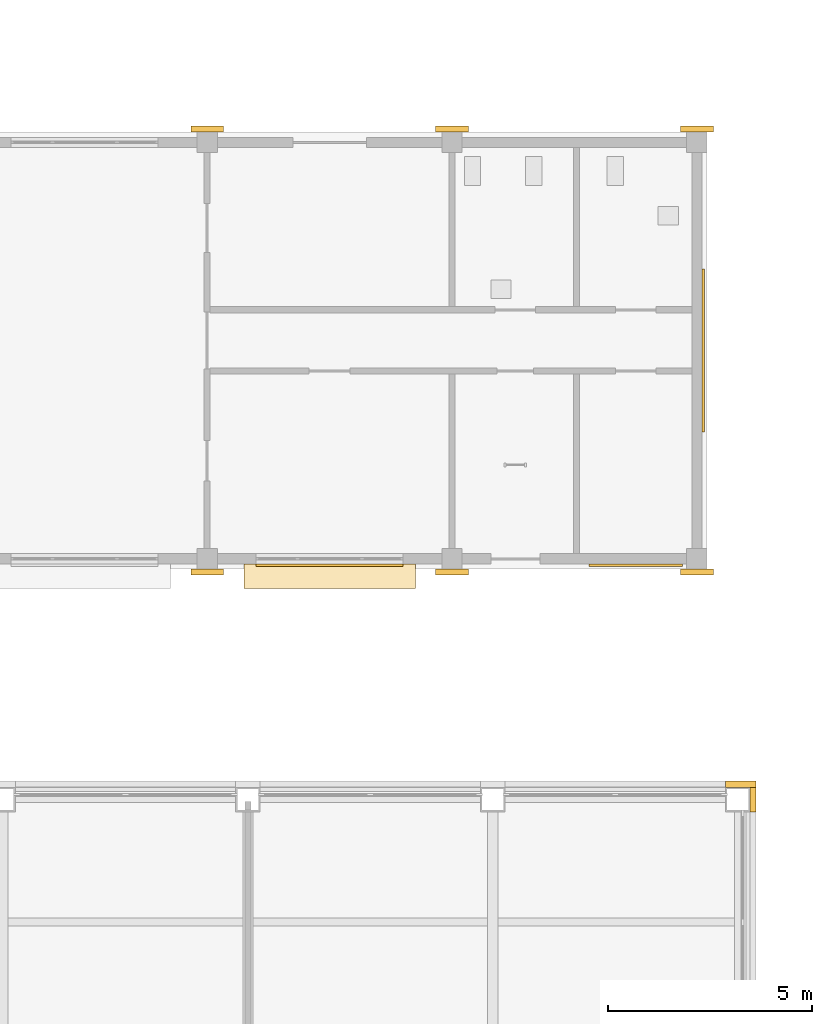
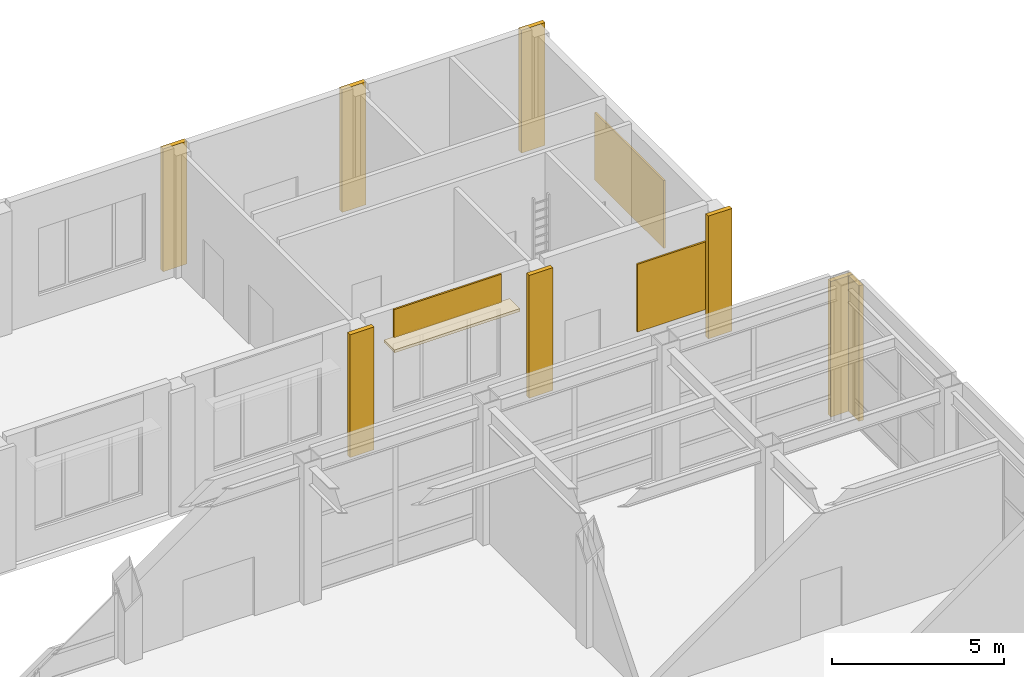
# One storey, part 74 of 77: 12 coverings.
"""IFC4 building model written with IfcOpenShell, lengths in metres."""

from ifc_helpers import new_model, si_unit, direction, frame, origin, place, context, subcontext, project, spatial, polyline, outline, extrude, material, layer, layer_set, type_object, element, save


model = new_model("IFC4")

# Units and contexts
model_context = context("Model", 3, precision=1e-05, world=origin(), true_north=direction((0.0, 1.0)))
body_context = subcontext(model_context, "Body", "Model", "MODEL_VIEW")
ifc_project = project(units=[si_unit("LENGTHUNIT", "METRE"), si_unit("AREAUNIT", "SQUARE_METRE"), si_unit("VOLUMEUNIT", "CUBIC_METRE"), si_unit("PLANEANGLEUNIT", "RADIAN"), si_unit("MASSUNIT", "GRAM", prefix="KILO")], contexts=[model_context])

# Site, building, storey
site_placement = place(None, origin())
site = spatial("IfcSite", under=ifc_project, at=site_placement, CompositionType="ELEMENT")
building_placement = place(site_placement, origin())
building = spatial("IfcBuilding", under=site, at=building_placement, Name="Aravalli Gate Trade Fair Centre", CompositionType="ELEMENT")
storey_placement = place(building_placement, origin())
storey = spatial("IfcBuildingStorey", under=building, at=storey_placement, Name="L00", CompositionType="ELEMENT", Elevation=0.0)

# Coverings
ifc_material_1 = material(Name="Dholpur sandstone", Category="masonry")
ifc_layer_1 = layer(ifc_material_1, 0.06005859375)
ifc_layer_set_1 = layer_set([ifc_layer_1], Name="Dholpur sandstone")
covering_type_1 = type_object("IfcCoveringType", Name="Pavilion jali panel 60", PredefinedType="CLADDING", material=ifc_layer_set_1)
covering_1_placement = place(storey_placement, frame((0.0, 0.0, 3.550048828125)))
element("IfcCovering", 1, at=covering_1_placement, inside=storey, type_object=covering_type_1, Name="Jali panel S5", PredefinedType="CLADDING", context=body_context, shape_type="SweptSolid", body=[
    extrude(outline(polyline([(190.199951171875, 138.715087890625), (193.800048828125, 138.715087890625), (193.800048828125, 138.77490234375), (190.199951171875, 138.77490234375), (190.199951171875, 138.715087890625)])), origin(), (0.0, 0.0, 1.0), 1.0),
])
covering_2_placement = place(storey_placement, frame((0.0, 0.0, 0.89990234375)))
element("IfcCovering", 2, at=covering_2_placement, inside=storey, type_object=covering_type_1, Name="Jali panel plant bay", PredefinedType="CLADDING", context=body_context, shape_type="SweptSolid", body=[
    extrude(outline(polyline([(198.35009765625, 138.715087890625), (200.64990234375, 138.715087890625), (200.64990234375, 138.77490234375), (198.35009765625, 138.77490234375), (198.35009765625, 138.715087890625)])), origin(), (0.0, 0.0, 1.0), 2.400146484375),
])
covering_3_placement = place(storey_placement, frame((0.0, 0.0, 0.89990234375)))
element("IfcCovering", 3, at=covering_3_placement, inside=storey, type_object=covering_type_1, Name="Jali panel E", PredefinedType="CLADDING", context=body_context, shape_type="SweptSolid", body=[
    extrude(outline(polyline([(201.125, 142.0), (201.18505859375, 142.0), (201.18505859375, 146.0), (201.125, 146.0), (201.125, 142.0)])), origin(), (0.0, 0.0, 1.0), 2.400146484375),
])
ifc_material_2 = material(Name="Terracotta", Category="masonry")
ifc_layer_2 = layer(ifc_material_2, 0.10009765625)
ifc_layer_set_2 = layer_set([ifc_layer_2], Name="Terracotta")
covering_type_2 = type_object("IfcCoveringType", Name="Wing chhajja hood 100", PredefinedType="MOLDING", material=ifc_layer_set_2)
covering_4_placement = place(storey_placement, frame((0.0, 0.0, 3.449951171875)))
element("IfcCovering", 4, at=covering_4_placement, inside=storey, type_object=covering_type_2, Name="Chhajja hood S5", PredefinedType="MOLDING", context=body_context, shape_type="SweptSolid", body=[
    extrude(outline(polyline([(189.89990234375, 138.175048828125), (194.10009765625, 138.175048828125), (194.10009765625, 138.77490234375), (189.89990234375, 138.77490234375), (189.89990234375, 138.175048828125)])), origin(), (0.0, 0.0, 1.0), 0.10009765625),
])
ifc_material_3 = material(Name="Glazed terracotta", Category="masonry")
ifc_layer_3 = layer(ifc_material_3, 0.14990234375)
ifc_layer_set_3 = layer_set([ifc_layer_3], Name="Glazed terracotta")
covering_type_3 = type_object("IfcCoveringType", Name="Wing pier casing 150", PredefinedType="CLADDING", material=ifc_layer_set_3)
covering_5_placement = place(storey_placement, origin())
element("IfcCovering", 5, at=covering_5_placement, inside=storey, type_object=covering_type_3, Name="Pier casing 5S", PredefinedType="CLADDING", context=body_context, shape_type="SweptSolid", body=[
    extrude(outline(polyline([(188.60009765625, 138.5), (189.39990234375, 138.5), (189.39990234375, 138.64990234375), (188.60009765625, 138.64990234375), (188.60009765625, 138.5)])), origin(), (0.0, 0.0, 1.0), 4.35009765625),
])
covering_6_placement = place(storey_placement, origin())
element("IfcCovering", 6, at=covering_6_placement, inside=storey, type_object=covering_type_3, Name="Pier casing 5N", PredefinedType="CLADDING", context=body_context, shape_type="SweptSolid", body=[
    extrude(outline(polyline([(188.60009765625, 149.35009765625), (189.39990234375, 149.35009765625), (189.39990234375, 149.5), (188.60009765625, 149.5), (188.60009765625, 149.35009765625)])), origin(), (0.0, 0.0, 1.0), 4.35009765625),
])
covering_7_placement = place(storey_placement, origin())
element("IfcCovering", 7, at=covering_7_placement, inside=storey, type_object=covering_type_3, Name="Pier casing 6S", PredefinedType="CLADDING", context=body_context, shape_type="SweptSolid", body=[
    extrude(outline(polyline([(194.60009765625, 138.5), (195.39990234375, 138.5), (195.39990234375, 138.64990234375), (194.60009765625, 138.64990234375), (194.60009765625, 138.5)])), origin(), (0.0, 0.0, 1.0), 4.35009765625),
])
covering_8_placement = place(storey_placement, origin())
element("IfcCovering", 8, at=covering_8_placement, inside=storey, type_object=covering_type_3, Name="Pier casing 6N", PredefinedType="CLADDING", context=body_context, shape_type="SweptSolid", body=[
    extrude(outline(polyline([(194.60009765625, 149.35009765625), (195.39990234375, 149.35009765625), (195.39990234375, 149.5), (194.60009765625, 149.5), (194.60009765625, 149.35009765625)])), origin(), (0.0, 0.0, 1.0), 4.35009765625),
])
covering_9_placement = place(storey_placement, origin())
element("IfcCovering", 9, at=covering_9_placement, inside=storey, type_object=covering_type_3, Name="Pier casing 7S", PredefinedType="CLADDING", context=body_context, shape_type="SweptSolid", body=[
    extrude(outline(polyline([(200.60009765625, 138.5), (201.39990234375, 138.5), (201.39990234375, 138.64990234375), (200.60009765625, 138.64990234375), (200.60009765625, 138.5)])), origin(), (0.0, 0.0, 1.0), 4.35009765625),
])
covering_10_placement = place(storey_placement, origin())
element("IfcCovering", 10, at=covering_10_placement, inside=storey, type_object=covering_type_3, Name="Pier casing 7N", PredefinedType="CLADDING", context=body_context, shape_type="SweptSolid", body=[
    extrude(outline(polyline([(200.60009765625, 149.35009765625), (201.39990234375, 149.35009765625), (201.39990234375, 149.5), (200.60009765625, 149.5), (200.60009765625, 149.35009765625)])), origin(), (0.0, 0.0, 1.0), 4.35009765625),
])
ifc_layer_4 = layer(ifc_material_1, 0.14990234375)
ifc_layer_set_4 = layer_set([ifc_layer_4], Name="Dholpur sandstone")
covering_type_4 = type_object("IfcCoveringType", Name="Wing sandstone pier casing 150", PredefinedType="CLADDING", material=ifc_layer_set_4)
covering_11_placement = place(storey_placement, origin())
element("IfcCovering", 11, at=covering_11_placement, inside=storey, type_object=covering_type_4, Name="Pier casing 25K N L00", PredefinedType="CLADDING", context=body_context, shape_type="SweptSolid", body=[
    extrude(outline(polyline([(201.699951171875, 133.300048828125), (202.449951171875, 133.300048828125), (202.449951171875, 133.449951171875), (201.699951171875, 133.449951171875), (201.699951171875, 133.300048828125)])), origin(), (0.0, 0.0, 1.0), 4.800048828125),
])
covering_12_placement = place(storey_placement, origin())
element("IfcCovering", 12, at=covering_12_placement, inside=storey, type_object=covering_type_4, Name="Pier casing 25K E L00", PredefinedType="CLADDING", context=body_context, shape_type="SweptSolid", body=[
    extrude(outline(polyline([(202.300048828125, 132.699951171875), (202.449951171875, 132.699951171875), (202.449951171875, 133.300048828125), (202.300048828125, 133.300048828125), (202.300048828125, 132.699951171875)])), origin(), (0.0, 0.0, 1.0), 4.800048828125),
])

save(model, "model.ifc")
